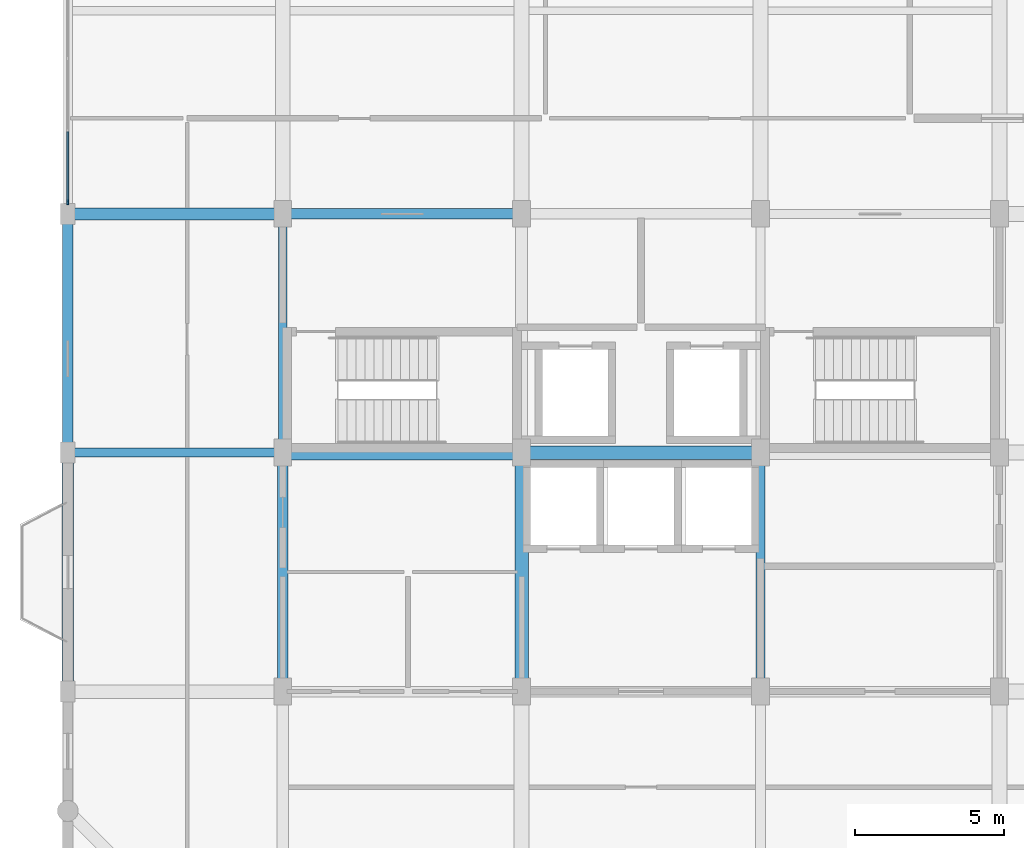
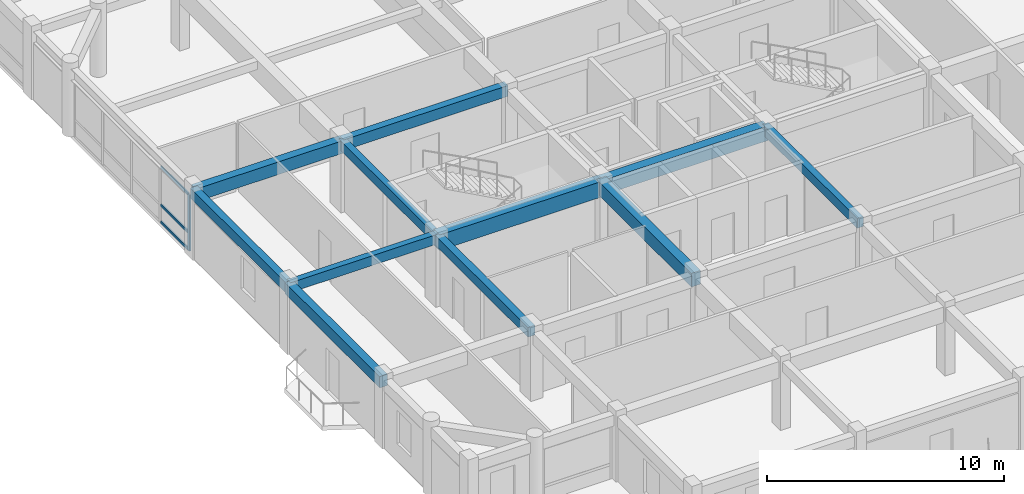
# One storey, part 3 of 14: 11 beams, 4 members, 1 element without a shape of its own.
"""IFC4 building model written with IfcOpenShell, lengths in metres."""

from ifc_helpers import new_model, si_unit, direction, frame, origin, origin_2d, place, context, subcontext, project, spatial, rectangle, extrude, material, material_profile, profile_set, type_object, element, aggregate, save


model = new_model("IFC4")

# Units and contexts
model_context = context("Model", 3, precision=1e-05, world=origin(), true_north=direction((0.0, 1.0)))
body_context = subcontext(model_context, "Body", "Model", "MODEL_VIEW")
ifc_project = project(units=[si_unit("LENGTHUNIT", "METRE"), si_unit("AREAUNIT", "SQUARE_METRE"), si_unit("VOLUMEUNIT", "CUBIC_METRE"), si_unit("PLANEANGLEUNIT", "RADIAN"), si_unit("MASSUNIT", "GRAM", prefix="KILO")], contexts=[model_context])

# Site, building, storey
site_placement = place(None, origin())
site = spatial("IfcSite", under=ifc_project, at=site_placement, CompositionType="ELEMENT")
building_placement = place(site_placement, origin())
building = spatial("IfcBuilding", under=site, at=building_placement, Name="Vellmiral Cinema and Media Centre", CompositionType="ELEMENT")
storey_placement = place(building_placement, frame((0.0, 0.0, 47.10009765625)))
storey = spatial("IfcBuildingStorey", under=building, at=storey_placement, Name="L11", CompositionType="ELEMENT", Elevation=47.10009765625)

# Beams
ifc_material_1 = material(Name="Concrete C40/50", Category="concrete")
ifc_material_profile_1 = material_profile(ifc_material_1, rectangle(XDim=0.300048828125, YDim=0.5, at=origin_2d()), Name="RC 300x500")
ifc_profile_set_1 = profile_set([ifc_material_profile_1], Name="Concrete C40/50")
beam_type_1 = type_object("IfcBeamType", Name="BM-RC-300x500", PredefinedType="BEAM", material=ifc_profile_set_1)
beam_1_placement = place(storey_placement, frame((116.800048828125, 87.199951171875, 3.244873046875), z_axis=(1.0, 0.0, 0.0), x_axis=(0.0, 1.0, 0.0)))
element("IfcBeam", 1, at=beam_1_placement, inside=storey, type_object=beam_type_1, Name="Grid Beam L11-X017", PredefinedType="BEAM", context=body_context, shape_type="SweptSolid", body=[
    extrude(rectangle(XDim=0.300048828125, YDim=0.5, at=origin_2d()), origin(), (0.0, 0.0, 1.0), 7.199951171875),
])
for number, where, z_axis, x_axis, name in (
    (2, (124.0, 87.199951171875, 3.244873046875), (0.0, 1.0, 0.0), (-1.0, 0.0, 0.0), "Grid Beam L11-Y048"),
    (3, (140.0, 79.199951171875, 3.244873046875), (0.0, 1.0, 0.0), (-1.0, 0.0, 0.0), "Grid Beam L11-Y059"),
):
    element("IfcBeam", number, at=place(storey_placement, frame(where, z_axis=z_axis, x_axis=x_axis)), inside=storey, type_object=beam_type_1, Name=name, PredefinedType="BEAM", context=body_context, shape_type="SweptSolid", body=[
        extrude(rectangle(XDim=0.300048828125, YDim=0.5, at=origin_2d()), origin(), (0.0, 0.0, 1.0), 8.0),
    ])
ifc_material_2 = material(Name="Concrete C40/50", Category="concrete")
ifc_material_profile_2 = material_profile(ifc_material_2, rectangle(XDim=0.35009765625, YDim=0.5, at=origin_2d()), Name="RC 350x500")
ifc_profile_set_2 = profile_set([ifc_material_profile_2], Name="Concrete C40/50")
beam_type_2 = type_object("IfcBeamType", Name="BM-RC-350x500", PredefinedType="BEAM", material=ifc_profile_set_2)
beam_2_placement = place(storey_placement, frame((124.0, 79.199951171875, 3.244873046875), z_axis=(0.0, 1.0, 0.0), x_axis=(-1.0, 0.0, 0.0)))
element("IfcBeam", 4, at=beam_2_placement, inside=storey, type_object=beam_type_2, Name="Grid Beam L11-Y047", PredefinedType="BEAM", context=body_context, shape_type="SweptSolid", body=[
    extrude(rectangle(XDim=0.35009765625, YDim=0.5, at=origin_2d()), origin(), (0.0, 0.0, 1.0), 8.0),
])
ifc_material_3 = material(Name="Concrete C40/50", Category="concrete")
ifc_material_profile_3 = material_profile(ifc_material_3, rectangle(XDim=0.35009765625, YDim=0.550048828125, at=origin_2d()), Name="RC 350x550")
ifc_profile_set_3 = profile_set([ifc_material_profile_3], Name="Concrete C40/50")
beam_type_3 = type_object("IfcBeamType", Name="BM-RC-350x550", PredefinedType="BEAM", material=ifc_profile_set_3)
beam_3_placement = place(storey_placement, frame((124.0, 95.199951171875, 3.219970703125), z_axis=(1.0, 0.0, 0.0), x_axis=(0.0, 1.0, 0.0)))
element("IfcBeam", 5, at=beam_3_placement, inside=storey, type_object=beam_type_3, Name="Grid Beam L11-X024", PredefinedType="BEAM", context=body_context, shape_type="SweptSolid", body=[
    extrude(rectangle(XDim=0.35009765625, YDim=0.550048828125, at=origin_2d()), origin(), (0.0, 0.0, 1.0), 8.0),
])
ifc_material_4 = material(Name="Concrete C40/50", Category="concrete")
ifc_material_profile_4 = material_profile(ifc_material_4, rectangle(XDim=0.39990234375, YDim=0.64990234375, at=origin_2d()), Name="RC 400x650")
ifc_profile_set_4 = profile_set([ifc_material_profile_4], Name="Concrete C40/50")
beam_type_4 = type_object("IfcBeamType", Name="BM-RC-400x650", PredefinedType="BEAM", material=ifc_profile_set_4)
beam_4_placement = place(storey_placement, frame((116.800048828125, 95.199951171875, 3.169921875), z_axis=(1.0, 0.0, 0.0), x_axis=(0.0, 1.0, 0.0)))
element("IfcBeam", 6, at=beam_4_placement, inside=storey, type_object=beam_type_4, Name="Grid Beam L11-X023", PredefinedType="BEAM", context=body_context, shape_type="SweptSolid", body=[
    extrude(rectangle(XDim=0.39990234375, YDim=0.64990234375, at=origin_2d()), origin(), (0.0, 0.0, 1.0), 7.199951171875),
])
ifc_material_5 = material(Name="Concrete C40/50", Category="concrete")
ifc_material_profile_5 = material_profile(ifc_material_5, rectangle(XDim=0.449951171875, YDim=0.699951171875, at=origin_2d()), Name="RC 450x700")
ifc_profile_set_5 = profile_set([ifc_material_profile_5], Name="Concrete C40/50")
beam_type_5 = type_object("IfcBeamType", Name="BM-RC-450x700", PredefinedType="BEAM", material=ifc_profile_set_5)
beam_5_placement = place(storey_placement, frame((132.0, 79.199951171875, 3.14501953125), z_axis=(0.0, 1.0, 0.0), x_axis=(-1.0, 0.0, 0.0)))
element("IfcBeam", 7, at=beam_5_placement, inside=storey, type_object=beam_type_5, Name="Grid Beam L11-Y053", PredefinedType="BEAM", context=body_context, shape_type="SweptSolid", body=[
    extrude(rectangle(XDim=0.449951171875, YDim=0.699951171875, at=origin_2d()), origin(), (0.0, 0.0, 1.0), 8.0),
])
ifc_material_6 = material(Name="Concrete C40/50", Category="concrete")
ifc_material_profile_6 = material_profile(ifc_material_6, rectangle(XDim=0.449951171875, YDim=0.75, at=origin_2d()), Name="RC 450x750")
ifc_profile_set_6 = profile_set([ifc_material_profile_6], Name="Concrete C40/50")
beam_type_6 = type_object("IfcBeamType", Name="BM-RC-450x750", PredefinedType="BEAM", material=ifc_profile_set_6)
beam_6_placement = place(storey_placement, frame((132.0, 87.199951171875, 3.119873046875), z_axis=(1.0, 0.0, 0.0), x_axis=(0.0, 1.0, 0.0)))
element("IfcBeam", 8, at=beam_6_placement, inside=storey, type_object=beam_type_6, Name="Grid Beam L11-X019", PredefinedType="BEAM", context=body_context, shape_type="SweptSolid", body=[
    extrude(rectangle(XDim=0.449951171875, YDim=0.75, at=origin_2d()), origin(), (0.0, 0.0, 1.0), 8.0),
])
ifc_material_7 = material(Name="Concrete C40/50", Category="concrete")
ifc_material_profile_7 = material_profile(ifc_material_7, rectangle(XDim=0.5, YDim=0.800048828125, at=origin_2d()), Name="RC 500x800")
ifc_profile_set_7 = profile_set([ifc_material_profile_7], Name="Concrete C40/50")
beam_type_7 = type_object("IfcBeamType", Name="BM-RC-500x800", PredefinedType="BEAM", material=ifc_profile_set_7)
beam_7_placement = place(storey_placement, frame((124.0, 87.199951171875, 3.094970703125), z_axis=(1.0, 0.0, 0.0), x_axis=(0.0, 1.0, 0.0)))
element("IfcBeam", 9, at=beam_7_placement, inside=storey, type_object=beam_type_7, Name="Grid Beam L11-X018", PredefinedType="BEAM", context=body_context, shape_type="SweptSolid", body=[
    extrude(rectangle(XDim=0.5, YDim=0.800048828125, at=origin_2d()), origin(), (0.0, 0.0, 1.0), 8.0),
])

# Curtain wall, members
ifc_material_8 = material(Name="Thermally Broken Aluminium and Triple Glazing", Category="aluminium")
curtain_wall_type = type_object("IfcCurtainWallType", Name="CW-TOWER-MID-W", PredefinedType="USERDEFINED", material=ifc_material_8)
curtain_wall_placement = place(storey_placement, origin())
curtain_wall = element("IfcCurtainWall", 10, at=curtain_wall_placement, inside=storey, type_object=curtain_wall_type, Name="Curtain Wall L11-B024", ObjectType="UNITISED CURTAIN WALL", PredefinedType="USERDEFINED")
ifc_material_9 = material(Name="Thermally Broken Anodised Aluminium", Category="aluminium")
ifc_material_profile_8 = material_profile(ifc_material_9, rectangle(XDim=0.06494140625, YDim=0.159912109375, at=origin_2d()), Name="MULL 65x160")
ifc_profile_set_8 = profile_set([ifc_material_profile_8], Name="Thermally Broken Anodised Aluminium")
member_type_1 = type_object("IfcMemberType", Name="CWM-65x160", PredefinedType="MULLION", material=ifc_profile_set_8)
member_1_placement = place(storey_placement, frame((116.800048828125, 95.58251953125, 0.0), z_axis=(0.0, 0.0, 1.0), x_axis=(1.0, 0.0, 0.0)))
member_1 = element("IfcMember", 11, at=member_1_placement, type_object=member_type_1, Name="CW-08 mullion 5", PredefinedType="MULLION", context=body_context, shape_type="SweptSolid", body=[
    extrude(rectangle(XDim=0.06494140625, YDim=0.159912109375, at=origin_2d()), origin(), (0.0, 0.0, 1.0), 2.885009765625),
])
ifc_material_10 = material(Name="Thermally Broken Anodised Aluminium", Category="aluminium")
ifc_material_profile_9 = material_profile(ifc_material_10, rectangle(XDim=0.06494140625, YDim=0.135009765625, at=origin_2d()), Name="MULL 65x135")
ifc_profile_set_9 = profile_set([ifc_material_profile_9], Name="Thermally Broken Anodised Aluminium")
member_type_2 = type_object("IfcMemberType", Name="CWT-65x135", PredefinedType="USERDEFINED", material=ifc_profile_set_9)
member_2_placement = place(storey_placement, frame((116.800048828125, 97.9423828125, 0.032470703125), z_axis=(0.0, -1.0, 0.0), x_axis=(1.0, 0.0, 0.0)))
member_2 = element("IfcMember", 12, at=member_2_placement, type_object=member_type_2, Name="CW-08 transom 4.1", ObjectType="TRANSOM", PredefinedType="USERDEFINED", context=body_context, shape_type="SweptSolid", body=[
    extrude(rectangle(XDim=0.06494140625, YDim=0.135009765625, at=origin_2d()), origin(), (0.0, 0.0, 1.0), 2.327392578125),
])
member_3_placement = place(storey_placement, frame((116.800048828125, 97.9423828125, 0.89990234375), z_axis=(0.0, -1.0, 0.0), x_axis=(1.0, 0.0, 0.0)))
member_3 = element("IfcMember", 13, at=member_3_placement, type_object=member_type_2, Name="CW-08 transom 4.2", ObjectType="TRANSOM", PredefinedType="USERDEFINED", context=body_context, shape_type="SweptSolid", body=[
    extrude(rectangle(XDim=0.06494140625, YDim=0.135009765625, at=origin_2d()), origin(), (0.0, 0.0, 1.0), 2.327392578125),
])
member_4_placement = place(storey_placement, frame((116.800048828125, 97.9423828125, 2.852294921875), z_axis=(0.0, -1.0, 0.0), x_axis=(1.0, 0.0, 0.0)))
member_4 = element("IfcMember", 14, at=member_4_placement, type_object=member_type_2, Name="CW-08 transom 4.3", ObjectType="TRANSOM", PredefinedType="USERDEFINED", context=body_context, shape_type="SweptSolid", body=[
    extrude(rectangle(XDim=0.06494140625, YDim=0.135009765625, at=origin_2d()), origin(), (0.0, 0.0, 1.0), 2.327392578125),
])
aggregate(curtain_wall, [member_1, member_2, member_3, member_4])

# Beams
ifc_material_11 = material(Name="Vosges Red Sandstone Masonry", Category="masonry")
ifc_material_profile_10 = material_profile(ifc_material_11, rectangle(XDim=0.340087890625, YDim=0.52001953125, at=origin_2d()), Name="SAND 340x520")
ifc_profile_set_10 = profile_set([ifc_material_profile_10], Name="Vosges Red Sandstone Masonry")
beam_type_8 = type_object("IfcBeamType", Name="SPD-SAND-340x520", PredefinedType="SPANDREL", material=ifc_profile_set_10)
beam_8_placement = place(storey_placement, frame((116.800048828125, 87.199951171875, 3.23486328125), z_axis=(0.0, 1.0, 0.0), x_axis=(-1.0, 0.0, 0.0)))
element("IfcBeam", 15, at=beam_8_placement, inside=storey, type_object=beam_type_8, Name="Grid Beam L11-Y042", PredefinedType="SPANDREL", context=body_context, shape_type="SweptSolid", body=[
    extrude(rectangle(XDim=0.340087890625, YDim=0.52001953125, at=origin_2d()), origin(), (0.0, 0.0, 1.0), 8.0),
])
ifc_material_12 = material(Name="Vosges Red Sandstone Masonry", Category="masonry")
ifc_material_profile_11 = material_profile(ifc_material_12, rectangle(XDim=0.3798828125, YDim=0.580078125, at=origin_2d()), Name="SAND 380x580")
ifc_profile_set_11 = profile_set([ifc_material_profile_11], Name="Vosges Red Sandstone Masonry")
beam_type_9 = type_object("IfcBeamType", Name="SPD-SAND-380x580", PredefinedType="SPANDREL", material=ifc_profile_set_11)
beam_9_placement = place(storey_placement, frame((116.800048828125, 79.199951171875, 3.204833984375), z_axis=(0.0, 1.0, 0.0), x_axis=(-1.0, 0.0, 0.0)))
element("IfcBeam", 16, at=beam_9_placement, inside=storey, type_object=beam_type_9, Name="Grid Beam L11-Y041", PredefinedType="SPANDREL", context=body_context, shape_type="SweptSolid", body=[
    extrude(rectangle(XDim=0.3798828125, YDim=0.580078125, at=origin_2d()), origin(), (0.0, 0.0, 1.0), 8.0),
])

save(model, "model.ifc")
